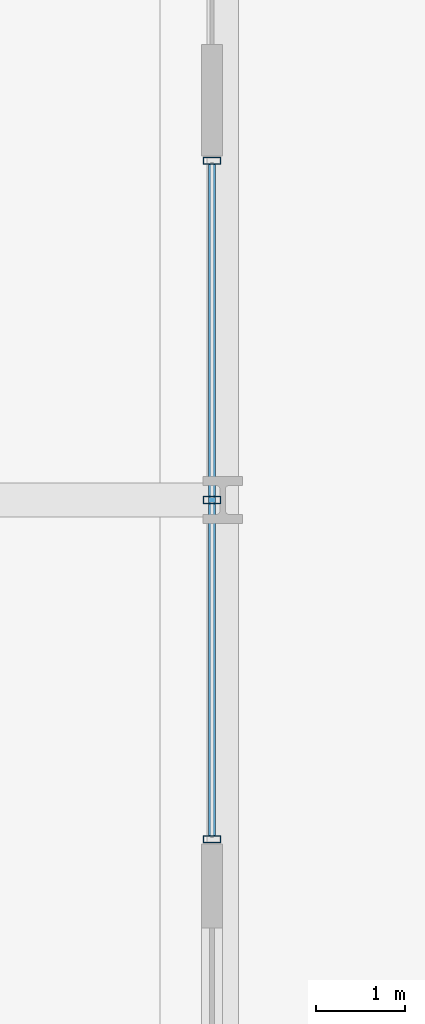
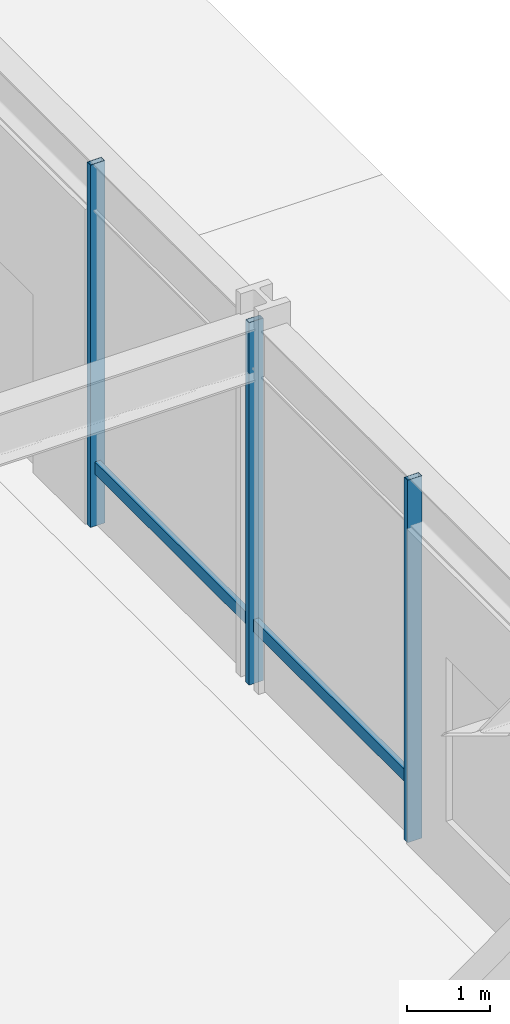
# One storey, part 7 of 21: 4 members, 1 element without a shape of its own.
"""IFC4 building model written with IfcOpenShell, lengths in metres."""

from ifc_helpers import new_model, si_unit, direction, frame, origin, origin_2d, place, context, subcontext, project, spatial, hollow_rectangle, extrude, material, layer, layer_set, material_profile, profile_set, type_object, element, aggregate, save


model = new_model("IFC4")

# Units and contexts
model_context = context("Model", 3, precision=1e-05, world=origin(), true_north=direction((0.0, 1.0)))
body_context = subcontext(model_context, "Body", "Model", "MODEL_VIEW")
ifc_project = project(units=[si_unit("LENGTHUNIT", "METRE"), si_unit("AREAUNIT", "SQUARE_METRE"), si_unit("VOLUMEUNIT", "CUBIC_METRE"), si_unit("PLANEANGLEUNIT", "RADIAN"), si_unit("MASSUNIT", "GRAM", prefix="KILO")], contexts=[model_context])

# Site, building, storey
site_placement = place(None, origin())
site = spatial("IfcSite", under=ifc_project, at=site_placement, CompositionType="ELEMENT")
building_placement = place(site_placement, origin())
building = spatial("IfcBuilding", under=site, at=building_placement, Name="Drelvath Grand Hotel", CompositionType="ELEMENT")
storey_placement = place(building_placement, origin())
storey = spatial("IfcBuildingStorey", under=building, at=storey_placement, Name="L00", CompositionType="ELEMENT", Elevation=0.0)

# Curtain wall, members
ifc_material = material(Name="Dark Bronze Anodised Aluminium Frame", Category="aluminium")
ifc_layer = layer(ifc_material, 0.199951171875)
ifc_layer_set = layer_set([ifc_layer], Name="Dark Bronze Anodised Aluminium Frame")
curtain_wall_type = type_object("IfcCurtainWallType", Name="Stick Curtain Wall CW-01 Dark Bronze Podium", PredefinedType="NOTDEFINED", material=ifc_layer_set)
curtain_wall_placement = place(storey_placement, origin())
curtain_wall = element("IfcCurtainWall", 1, at=curtain_wall_placement, inside=storey, type_object=curtain_wall_type, Name="L00 CW-01 Curtain Wall CW01-L00-EA1", PredefinedType="NOTDEFINED")
ifc_material_profile_1 = material_profile(ifc_material, hollow_rectangle(XDim=0.074951171875, YDim=0.179931640625, WallThickness=0.0048828125, at=origin_2d()), Name="HSS180X75X5")
ifc_profile_set_1 = profile_set([ifc_material_profile_1], Name="Dark Bronze Anodised Aluminium Frame")
member_type_1 = type_object("IfcMemberType", Name="Curtain Wall Horizontal Transom CW-01 HSS180X75X5", PredefinedType="USERDEFINED", material=ifc_profile_set_1)
member_1_placement = place(storey_placement, frame((38.8798828125, 22.360107421875, 0.85009765625), z_axis=(0.0, -1.0, 0.0), x_axis=(1.0, 0.0, 0.0)))
member_1 = element("IfcMember", 2, at=member_1_placement, type_object=member_type_1, Name="CW01-L00-EA1 Sill Transom", ObjectType="TRANSOM", PredefinedType="USERDEFINED", context=body_context, shape_type="SweptSolid", body=[
    extrude(hollow_rectangle(XDim=0.074951171875, YDim=0.179931640625, WallThickness=0.0048828125, at=origin_2d()), origin(), (0.0, 0.0, 1.0), 7.52001953125),
])
ifc_material_profile_2 = material_profile(ifc_material, hollow_rectangle(XDim=0.080078125, YDim=0.199951171875, WallThickness=0.0048828125, at=origin_2d()), Name="HSS200X80X5")
ifc_profile_set_2 = profile_set([ifc_material_profile_2], Name="Dark Bronze Anodised Aluminium Frame")
member_type_2 = type_object("IfcMemberType", Name="Curtain Wall Vertical Mullion CW-01 HSS200X80X5", PredefinedType="MULLION", material=ifc_profile_set_2)
member_2_placement = place(storey_placement, frame((38.8798828125, 22.39990234375, 0.0), z_axis=(0.0, 0.0, 1.0), x_axis=(0.0, 1.0, 0.0)))
member_2 = element("IfcMember", 3, at=member_2_placement, type_object=member_type_2, Name="CW01-L00-EA1 Mullion 1", PredefinedType="MULLION", context=body_context, shape_type="SweptSolid", body=[
    extrude(hollow_rectangle(XDim=0.080078125, YDim=0.199951171875, WallThickness=0.0048828125, at=origin_2d()), origin(), (0.0, 0.0, 1.0), 5.300048828125),
])
member_3_placement = place(storey_placement, frame((38.8798828125, 18.60009765625, 0.0), z_axis=(0.0, 0.0, 1.0), x_axis=(0.0, 1.0, 0.0)))
member_3 = element("IfcMember", 4, at=member_3_placement, type_object=member_type_2, Name="CW01-L00-EA1 Mullion 2", PredefinedType="MULLION", context=body_context, shape_type="SweptSolid", body=[
    extrude(hollow_rectangle(XDim=0.080078125, YDim=0.199951171875, WallThickness=0.0048828125, at=origin_2d()), origin(), (0.0, 0.0, 1.0), 5.300048828125),
])
member_4_placement = place(storey_placement, frame((38.8798828125, 14.800048828125, 0.0), z_axis=(0.0, 0.0, 1.0), x_axis=(0.0, 1.0, 0.0)))
member_4 = element("IfcMember", 5, at=member_4_placement, type_object=member_type_2, Name="CW01-L00-EA1 Mullion 3", PredefinedType="MULLION", context=body_context, shape_type="SweptSolid", body=[
    extrude(hollow_rectangle(XDim=0.080078125, YDim=0.199951171875, WallThickness=0.0048828125, at=origin_2d()), origin(), (0.0, 0.0, 1.0), 5.300048828125),
])
aggregate(curtain_wall, [member_2, member_3, member_4, member_1])

save(model, "model.ifc")
